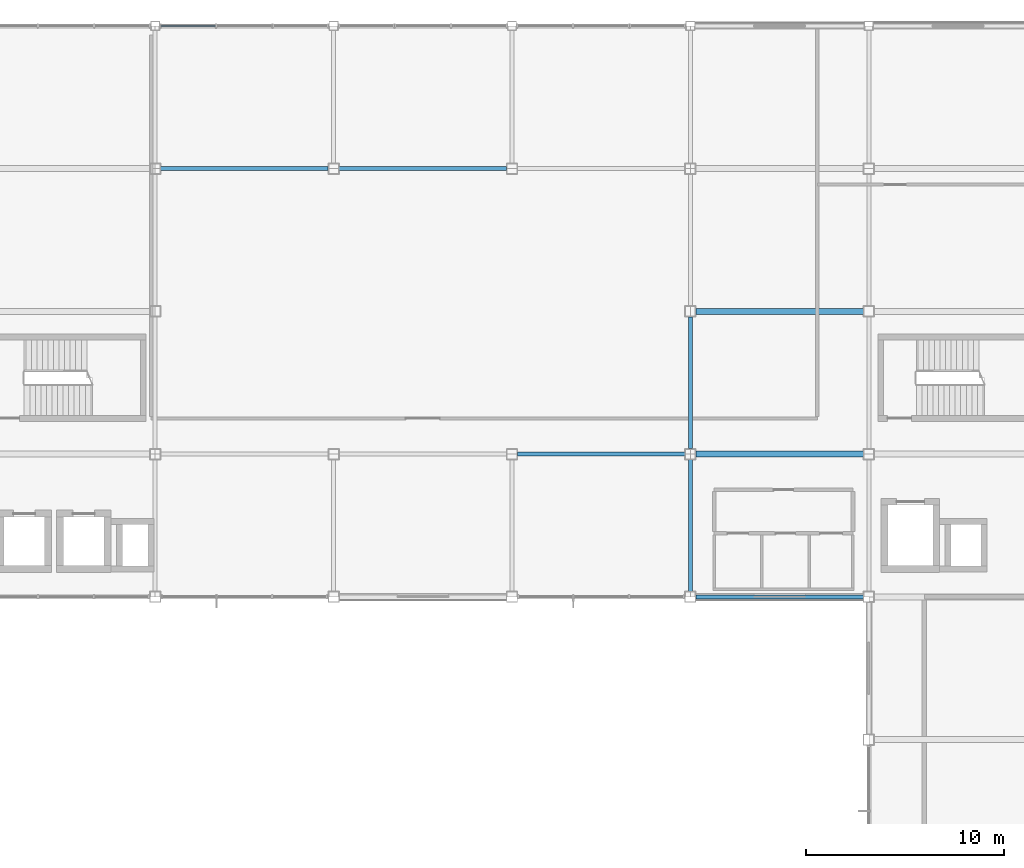
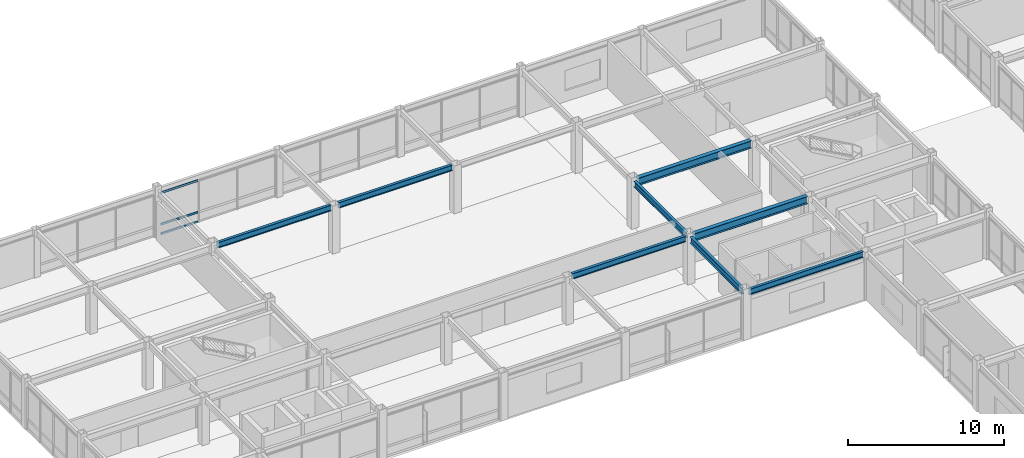
# One storey, part 68 of 113: 8 beams, 3 members, 1 element without a shape of its own.
"""IFC4 building model written with IfcOpenShell, lengths in metres."""

from ifc_helpers import new_model, si_unit, direction, frame, origin, origin_2d, place, context, subcontext, project, spatial, hollow_rectangle, i_section, extrude, material, material_profile, profile_set, type_object, element, aggregate, save


model = new_model("IFC4")

# Units and contexts
model_context = context("Model", 3, precision=1e-05, world=origin(), true_north=direction((0.0, 1.0)))
body_context = subcontext(model_context, "Body", "Model", "MODEL_VIEW")
ifc_project = project(units=[si_unit("LENGTHUNIT", "METRE"), si_unit("AREAUNIT", "SQUARE_METRE"), si_unit("VOLUMEUNIT", "CUBIC_METRE"), si_unit("PLANEANGLEUNIT", "RADIAN"), si_unit("MASSUNIT", "GRAM", prefix="KILO")], contexts=[model_context])

# Site, building, storey
site_placement = place(None, origin())
site = spatial("IfcSite", under=ifc_project, at=site_placement, CompositionType="ELEMENT")
building_placement = place(site_placement, origin())
building = spatial("IfcBuilding", under=site, at=building_placement, Name="Kazanami Central Library", CompositionType="ELEMENT")
storey_placement = place(building_placement, frame((0.0, 0.0, 8.800048828125)))
storey = spatial("IfcBuildingStorey", under=building, at=storey_placement, Name="L03", CompositionType="ELEMENT", Elevation=8.800048828125)

# Beams
ifc_material_1 = material(Name="Steel SN490B (325 MPa)", Category="steel")
ifc_material_profile_1 = material_profile(ifc_material_1, i_section(OverallWidth=0.300048828125, OverallDepth=0.587890625, WebThickness=0.011962890625, FlangeThickness=0.02001953125, at=origin_2d()), Name="H-588x300x12x20")
ifc_profile_set_1 = profile_set([ifc_material_profile_1], Name="Steel SN490B (325 MPa)")
beam_type_1 = type_object("IfcBeamType", Name="BM-G-X2", PredefinedType="BEAM", material=ifc_profile_set_1)
for number, where, z_axis, x_axis, name in (
    (1, (90.27294921875, 72.0, 3.450927734375), (1.0, 0.0, 0.0), (0.0, 1.0, 0.0), "Girder G-X2 L03 L/11-12"),
    (2, (90.27294921875, 79.199951171875, 3.450927734375), (1.0, 0.0, 0.0), (0.0, 1.0, 0.0), "Girder G-X2 L03 M/11-12"),
):
    element("IfcBeam", number, at=place(storey_placement, frame(where, z_axis=z_axis, x_axis=x_axis)), inside=storey, type_object=beam_type_1, Name=name, PredefinedType="BEAM", context=body_context, shape_type="SweptSolid", body=[
        extrude(i_section(OverallWidth=0.300048828125, OverallDepth=0.587890625, WebThickness=0.011962890625, FlangeThickness=0.02001953125, at=origin_2d()), origin(), (0.0, 0.0, 1.0), 8.4541015625),
    ])
ifc_material_profile_2 = material_profile(ifc_material_1, i_section(OverallWidth=0.199951171875, OverallDepth=0.5, WebThickness=0.010009765625, FlangeThickness=0.01611328125, at=origin_2d()), Name="H-500x200x10x16")
ifc_profile_set_2 = profile_set([ifc_material_profile_2], Name="Steel SN490B (325 MPa)")
beam_type_2 = type_object("IfcBeamType", Name="BM-G-Y2", PredefinedType="BEAM", material=ifc_profile_set_2)
beam_1_placement = place(storey_placement, frame((90.0, 65.072998046875, 3.494873046875), z_axis=(0.0, 1.0, 0.0), x_axis=(-1.0, 0.0, 0.0)))
element("IfcBeam", 3, at=beam_1_placement, inside=storey, type_object=beam_type_2, Name="Girder G-Y2 L03 11/K-L", PredefinedType="BEAM", context=body_context, shape_type="SweptSolid", body=[
    extrude(i_section(OverallWidth=0.199951171875, OverallDepth=0.5, WebThickness=0.010009765625, FlangeThickness=0.01611328125, at=origin_2d()), origin(), (0.0, 0.0, 1.0), 6.654052734375),
])
ifc_material_profile_3 = material_profile(ifc_material_1, i_section(OverallWidth=0.199951171875, OverallDepth=0.449951171875, WebThickness=0.009033203125, FlangeThickness=0.013916015625, at=origin_2d()), Name="H-450x200x9x14")
ifc_profile_set_3 = profile_set([ifc_material_profile_3], Name="Steel SN490B (325 MPa)")
beam_type_3 = type_object("IfcBeamType", Name="BM-SP-2", PredefinedType="SPANDREL", material=ifc_profile_set_3)
for number, where, z_axis, x_axis, name in (
    (4, (90.27294921875, 64.800048828125, 3.52001953125), (1.0, 0.0, 0.0), (0.0, 1.0, 0.0), "Girder SP-2 L03 K/11-12"),
    (5, (81.27294921875, 72.0, 3.52001953125), (1.0, 0.0, 0.0), (0.0, 1.0, 0.0), "Girder SP-2 L03 L/10-11"),
    (6, (63.27294921875, 86.39990234375, 3.52001953125), (1.0, 0.0, 0.0), (0.0, 1.0, 0.0), "Girder SP-2 L03 N/8-9"),
    (7, (72.27294921875, 86.39990234375, 3.52001953125), (1.0, 0.0, 0.0), (0.0, 1.0, 0.0), "Girder SP-2 L03 N/9-10"),
):
    element("IfcBeam", number, at=place(storey_placement, frame(where, z_axis=z_axis, x_axis=x_axis)), inside=storey, type_object=beam_type_3, Name=name, PredefinedType="SPANDREL", context=body_context, shape_type="SweptSolid", body=[
        extrude(i_section(OverallWidth=0.199951171875, OverallDepth=0.449951171875, WebThickness=0.009033203125, FlangeThickness=0.013916015625, at=origin_2d()), origin(), (0.0, 0.0, 1.0), 8.4541015625),
    ])
beam_2_placement = place(storey_placement, frame((90.0, 72.27294921875, 3.52001953125), z_axis=(0.0, 1.0, 0.0), x_axis=(-1.0, 0.0, 0.0)))
element("IfcBeam", 8, at=beam_2_placement, inside=storey, type_object=beam_type_3, Name="Girder SP-2 L03 11/L-M", PredefinedType="SPANDREL", context=body_context, shape_type="SweptSolid", body=[
    extrude(i_section(OverallWidth=0.199951171875, OverallDepth=0.449951171875, WebThickness=0.009033203125, FlangeThickness=0.013916015625, at=origin_2d()), origin(), (0.0, 0.0, 1.0), 6.654052734375),
])

# Curtain wall, members
ifc_material_2 = material(Name="Acid-Etched Low-E Laminated Glass", Category="glass")
curtain_wall_type = type_object("IfcCurtainWallType", Name="CW-8550x3295-M275", PredefinedType="USERDEFINED", material=ifc_material_2)
curtain_wall_placement = place(storey_placement, origin())
curtain_wall = element("IfcCurtainWall", 9, at=curtain_wall_placement, inside=storey, type_object=curtain_wall_type, Name="Unitised Curtain Wall CW-30 L03 N-O-07", ObjectType="UNITISED CURTAIN WALL", PredefinedType="USERDEFINED")
ifc_material_3 = material(Name="Anodised Aluminium A6063-T5", Category="aluminium")
ifc_material_profile_4 = material_profile(ifc_material_3, hollow_rectangle(XDim=0.070068359375, YDim=0.159912109375, WallThickness=0.00390625, at=origin_2d()), Name="ALU-TRAN-70x160x4")
ifc_profile_set_4 = profile_set([ifc_material_profile_4], Name="Anodised Aluminium A6063-T5")
member_type = type_object("IfcMemberType", Name="MEM-CW-T1", PredefinedType="USERDEFINED", material=ifc_profile_set_4)
member_1_placement = place(storey_placement, frame((66.0400390625, 93.60009765625, 0.034912109375), z_axis=(-1.0, 0.0, 0.0), x_axis=(0.0, -1.0, 0.0)))
member_1 = element("IfcMember", 10, at=member_1_placement, type_object=member_type, Name="CW-30 transom 3.1", ObjectType="TRANSOM", PredefinedType="USERDEFINED", context=body_context, shape_type="SweptSolid", body=[
    extrude(hollow_rectangle(XDim=0.070068359375, YDim=0.159912109375, WallThickness=0.00390625, at=origin_2d()), origin(), (0.0, 0.0, 1.0), 2.7451171875),
])
member_2_placement = place(storey_placement, frame((66.0400390625, 93.60009765625, 0.780029296875), z_axis=(-1.0, 0.0, 0.0), x_axis=(0.0, -1.0, 0.0)))
member_2 = element("IfcMember", 11, at=member_2_placement, type_object=member_type, Name="CW-30 transom 3.2", ObjectType="TRANSOM", PredefinedType="USERDEFINED", context=body_context, shape_type="SweptSolid", body=[
    extrude(hollow_rectangle(XDim=0.070068359375, YDim=0.159912109375, WallThickness=0.00390625, at=origin_2d()), origin(), (0.0, 0.0, 1.0), 2.7451171875),
])
member_3_placement = place(storey_placement, frame((66.0400390625, 93.60009765625, 3.260009765625), z_axis=(-1.0, 0.0, 0.0), x_axis=(0.0, -1.0, 0.0)))
member_3 = element("IfcMember", 12, at=member_3_placement, type_object=member_type, Name="CW-30 transom 3.3", ObjectType="TRANSOM", PredefinedType="USERDEFINED", context=body_context, shape_type="SweptSolid", body=[
    extrude(hollow_rectangle(XDim=0.070068359375, YDim=0.159912109375, WallThickness=0.00390625, at=origin_2d()), origin(), (0.0, 0.0, 1.0), 2.7451171875),
])
aggregate(curtain_wall, [member_1, member_2, member_3])

save(model, "model.ifc")
